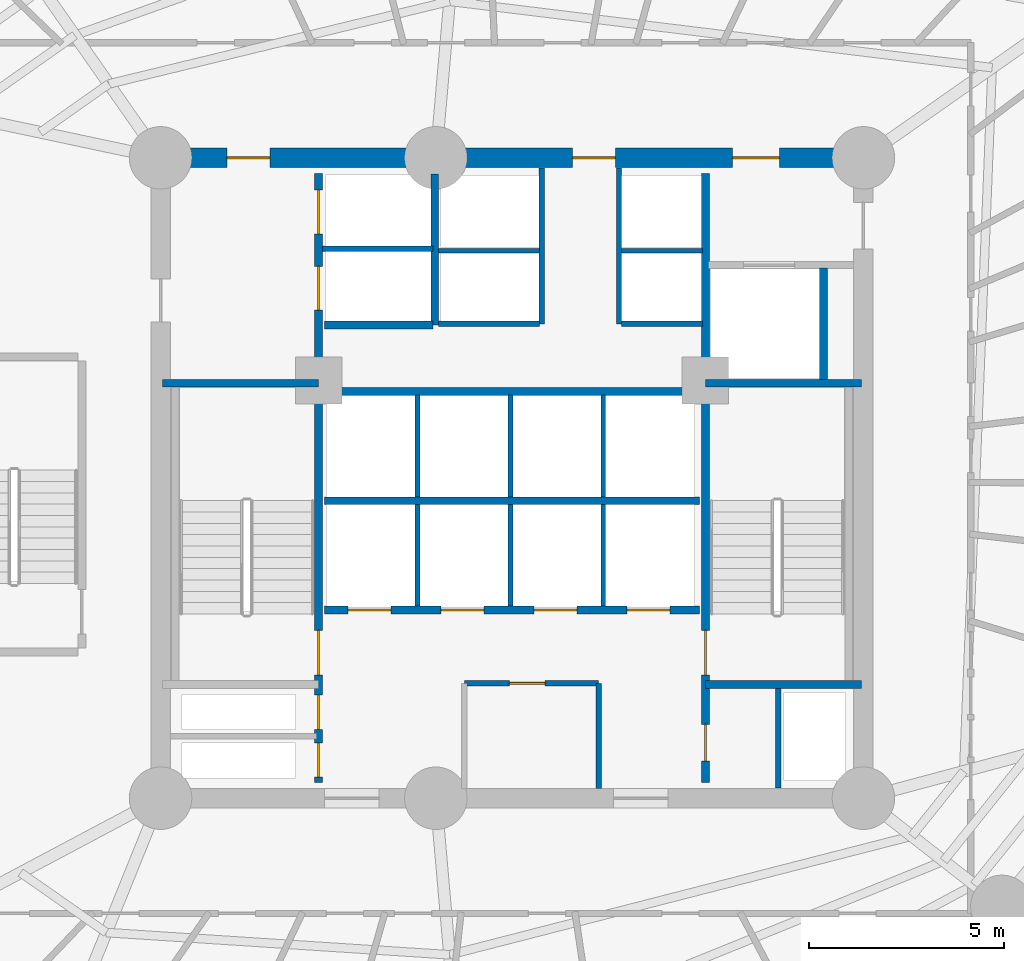
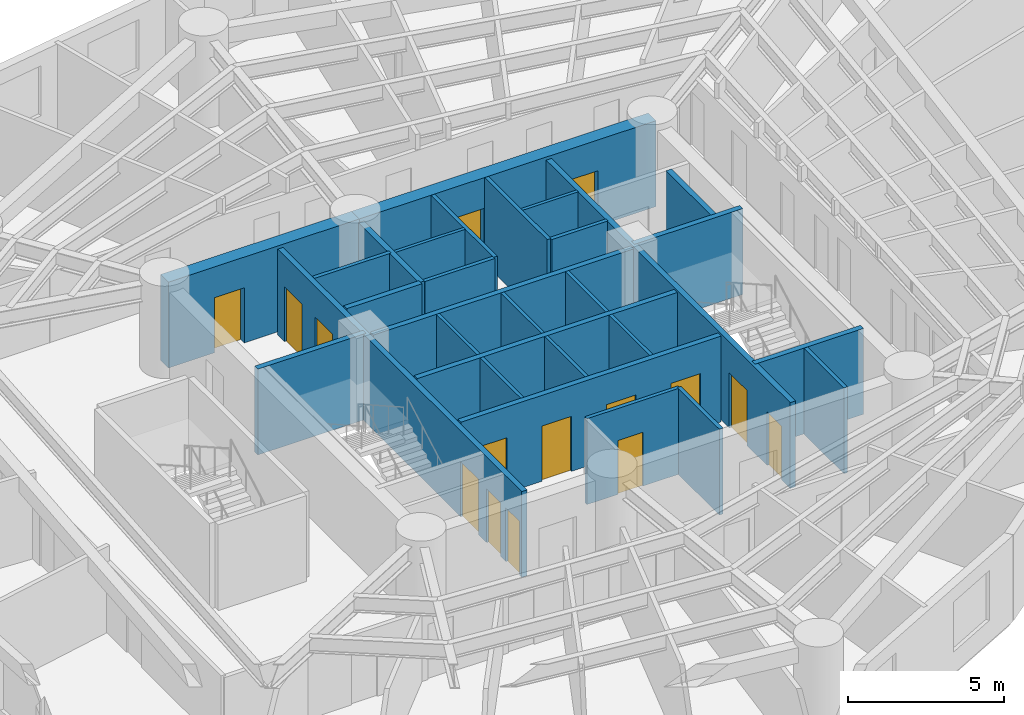
# One storey, part 4 of 8: 29 walls, 15 doors, 15 openings.
"""IFC4 building model written with IfcOpenShell, lengths in metres."""

import ifcopenshell
import ifcopenshell.guid

model = None  # the IFC model being written
_history = None  # IfcOwnerHistory: only IFC2X3 demands one
_inside = {}  # id of a spatial element -> (the spatial element, [elements in it])
_under = {}  # id of a project, library or spatial element -> (it, [spatial elements below it])
_declared = {}  # id of a project -> (the project, [libraries it declares])
_typed = {}  # id of a type object -> (the type object, [elements of that type])
_made_of = {}  # id of a material, layer set ... -> (it, [elements and type objects made of it])


def new_model(schema):
    """Start an empty IFC model of exactly this schema.

    Asked for "IFC4X3", IfcOpenShell would pick the latest addendum, in which some entities
    have other attributes; the version numbers below select the first issue.
    IFC2X3 requires an IfcOwnerHistory on every rooted entity: one is made here for all.
    """
    global model, _history
    if schema == "IFC4X3":
        model = ifcopenshell.file(schema_version=(4, 3, 0, 0))
    else:
        model = ifcopenshell.file(schema=schema)
    _inside.clear()
    _under.clear()
    _declared.clear()
    _typed.clear()
    _made_of.clear()
    _history = None
    if model.schema == "IFC2X3":
        org = make("IfcOrganization", Name="unknown")
        user = make(
            "IfcPersonAndOrganization",
            ThePerson=make("IfcPerson", FamilyName="unknown"),
            TheOrganization=org,
        )
        app = make(
            "IfcApplication",
            ApplicationDeveloper=org,
            Version="unknown",
            ApplicationFullName="unknown",
            ApplicationIdentifier="unknown",
        )
        _history = make(
            "IfcOwnerHistory",
            OwningUser=user,
            OwningApplication=app,
            ChangeAction="ADDED",
            CreationDate=0,
        )
    return model


def make(cls, **values):
    """One entity of the class cls with the attributes given. An attribute that is None is left unset."""
    return model.create_entity(
        cls, **{name: value for name, value in values.items() if value is not None}
    )


def rooted(cls, **values):
    """An entity with a GlobalId (a new one), such as an element, a storey or a relation."""
    return make(cls, GlobalId=ifcopenshell.guid.new(), OwnerHistory=_history, **values)


def si_unit(unit_type, name, prefix=None):
    """IfcSIUnit, for example si_unit("LENGTHUNIT", "METRE", prefix="MILLI")."""
    return make("IfcSIUnit", UnitType=unit_type, Prefix=prefix, Name=name)


def assignment(units):
    """IfcUnitAssignment: the units of a project."""
    return None if units is None else make("IfcUnitAssignment", Units=units)


def point(xyz):
    """IfcCartesianPoint."""
    return None if xyz is None else make("IfcCartesianPoint", Coordinates=xyz)


def direction(xyz):
    """IfcDirection."""
    return None if xyz is None else make("IfcDirection", DirectionRatios=xyz)


def frame(location, z_axis=None, x_axis=None):
    """IfcAxis2Placement3D, a coordinate frame: its origin and axes. An axis left out is left unset."""
    return make(
        "IfcAxis2Placement3D",
        Location=point(location),
        Axis=direction(z_axis),
        RefDirection=direction(x_axis),
    )


def frame_2d(location, x_axis=None):
    """IfcAxis2Placement2D, a coordinate frame in the plane: its origin and x axis."""
    return make(
        "IfcAxis2Placement2D", Location=point(location), RefDirection=direction(x_axis)
    )


def origin():
    """The frame at (0, 0, 0) with its axes left unset."""
    return frame((0.0, 0.0, 0.0))


def origin_with_axes():
    """The frame at (0, 0, 0) with the z axis (0, 0, 1) and the x axis (1, 0, 0) written out."""
    return frame((0.0, 0.0, 0.0), z_axis=(0.0, 0.0, 1.0), x_axis=(1.0, 0.0, 0.0))


def place(relative_to, where):
    """IfcLocalPlacement: puts the frame where relative to a parent placement (None: the world)."""
    return make(
        "IfcLocalPlacement", PlacementRelTo=relative_to, RelativePlacement=where
    )


def context(
    kind, dimensions, precision=None, world=None, true_north=None, identifier=None
):
    """IfcGeometricRepresentationContext, for example the 3D "Model" context."""
    return make(
        "IfcGeometricRepresentationContext",
        ContextIdentifier=identifier,
        ContextType=kind,
        CoordinateSpaceDimension=dimensions,
        Precision=precision,
        WorldCoordinateSystem=world,
        TrueNorth=true_north,
    )


def subcontext(parent, identifier, kind, view, scale=None):
    """IfcGeometricRepresentationSubContext, for example "Body" below "Model"."""
    return make(
        "IfcGeometricRepresentationSubContext",
        ContextIdentifier=identifier,
        ContextType=kind,
        ParentContext=parent,
        TargetScale=scale,
        TargetView=view,
    )


def project(units=None, contexts=None):
    """IfcProject with its units and contexts."""
    return rooted(
        "IfcProject",
        Name="project",
        RepresentationContexts=contexts,
        UnitsInContext=assignment(units),
    )


def spatial(cls, under=None, at=None, **own):
    """A site, building, storey or space (cls), placed at a placement, below another one or the project."""
    s = rooted(cls, ObjectPlacement=at, **own)
    if under is not None:
        _under.setdefault(under.id(), (under, []))[1].append(s)
    return s


def profile(cls, at=None, kind="AREA", **sizes):
    """A parametric profile (cls). Its sizes go by their IFC names, for example OverallWidth=200.0."""
    return make(cls, ProfileType=kind, Position=at, **sizes)


def rectangle(**sizes):
    """IfcRectangleProfileDef."""
    return profile("IfcRectangleProfileDef", **sizes)


def extrude(swept, where, along, depth):
    """IfcExtrudedAreaSolid: the profile swept, set in the frame where, extruded along a direction by depth."""
    return make(
        "IfcExtrudedAreaSolid",
        SweptArea=swept,
        Position=where,
        ExtrudedDirection=direction(along),
        Depth=depth,
    )


def shape(context_of_items, identifier, shape_type, items):
    """IfcShapeRepresentation: the items that make up one representation, for example the "Body"."""
    return make(
        "IfcShapeRepresentation",
        ContextOfItems=context_of_items,
        RepresentationIdentifier=identifier,
        RepresentationType=shape_type,
        Items=items,
    )


def source(mapping_origin, context_of_items, identifier, shape_type, items):
    """IfcRepresentationMap: a shape defined once, which mapped items show again and again."""
    return make(
        "IfcRepresentationMap",
        MappingOrigin=mapping_origin,
        MappedRepresentation=shape(context_of_items, identifier, shape_type, items),
    )


def transform(
    local_origin,
    x_axis=None,
    y_axis=None,
    z_axis=None,
    scale=None,
    scale2=None,
    scale3=None,
    uniform=True,
):
    """IfcCartesianTransformationOperator3D, or its non-uniform kind. x_axis, y_axis, z_axis: its Axis1, 2, 3."""
    if uniform:
        return make(
            "IfcCartesianTransformationOperator3D",
            Axis1=direction(x_axis),
            Axis2=direction(y_axis),
            LocalOrigin=point(local_origin),
            Scale=scale,
            Axis3=direction(z_axis),
        )
    return make(
        "IfcCartesianTransformationOperator3DnonUniform",
        Axis1=direction(x_axis),
        Axis2=direction(y_axis),
        LocalOrigin=point(local_origin),
        Scale=scale,
        Axis3=direction(z_axis),
        Scale2=scale2,
        Scale3=scale3,
    )


def mapped(mapping_source, mapping_target):
    """IfcMappedItem: shows the shape of a source again, moved by a transform."""
    return make(
        "IfcMappedItem", MappingSource=mapping_source, MappingTarget=mapping_target
    )


def material(Name=None, Category=None):
    """IfcMaterial."""
    return make("IfcMaterial", Name=Name, Category=Category)


def layer(
    of_material, thickness, ventilated=None, Name=None, Category=None, Priority=None
):
    """IfcMaterialLayer: one layer of a wall or slab, of a material (None: an air gap)."""
    return make(
        "IfcMaterialLayer",
        Material=of_material,
        LayerThickness=thickness,
        IsVentilated=ventilated,
        Name=Name,
        Category=Category,
        Priority=Priority,
    )


def layer_set(layers, Name=None):
    """IfcMaterialLayerSet."""
    return make("IfcMaterialLayerSet", MaterialLayers=layers, LayerSetName=Name)


def made_of(thing, what):
    """Note that an element or type object is made of a material, layer set ...; save() writes the relation."""
    if what is not None:
        _made_of.setdefault(what.id(), (what, []))[1].append(thing)
    return thing


def type_object(cls, material=None, **own):
    """A type object (cls), such as IfcWallType, which elements share."""
    return made_of(rooted(cls, **own), material)


def element(
    cls,
    number,
    at=None,
    inside=None,
    cuts=None,
    type_object=None,
    material=None,
    context=None,
    identifier="Body",
    shape_type=None,
    held_by="IfcProductDefinitionShape",
    body=None,
    shapes=None,
    **own,
):
    """One element of the class cls, such as IfcWall. Its Tag is "e" and its number.

    at: its placement. inside: the storey or other place that contains it. cuts: it is an
    opening in that element (IfcRelVoidsElement). A single representation is given by context,
    identifier, shape_type and body (its items); several are given by shapes. held_by: the class
    of the entity that holds the representations. save() writes the other relations.
    """
    e = rooted(cls, Tag="e%d" % number, ObjectPlacement=at, **own)
    if body is not None:
        shapes = [shape(context, identifier, shape_type, body)]
    if shapes is not None:
        e.Representation = make(held_by, Representations=shapes)
    if inside is not None:
        _inside.setdefault(inside.id(), (inside, []))[1].append(e)
    if cuts is not None:
        rooted(
            "IfcRelVoidsElement", RelatingBuildingElement=cuts, RelatedOpeningElement=e
        )
    if type_object is not None:
        _typed.setdefault(type_object.id(), (type_object, []))[1].append(e)
    return made_of(e, material)


def fill(opening, filler):
    """IfcRelFillsElement: the door or window that sits in an opening."""
    return rooted(
        "IfcRelFillsElement",
        RelatingOpeningElement=opening,
        RelatedBuildingElement=filler,
    )


def aggregate(whole, parts):
    """IfcRelAggregates: a whole, such as a stair, and the parts it consists of."""
    return rooted("IfcRelAggregates", RelatingObject=whole, RelatedObjects=parts)


def save(model, path):
    """Write the relations noted so far, then the file.

    IfcRelAggregates (storeys below a building ...), IfcRelContainedInSpatialStructure (elements
    in a storey), IfcRelDefinesByType, IfcRelAssociatesMaterial and IfcRelDeclares: one each for
    every whole, place, type object, material and project.
    """
    for whole, parts in _under.values():
        aggregate(whole, parts)
    for where, things in _inside.values():
        rooted(
            "IfcRelContainedInSpatialStructure",
            RelatedElements=things,
            RelatingStructure=where,
        )
    for kind, things in _typed.values():
        rooted("IfcRelDefinesByType", RelatedObjects=things, RelatingType=kind)
    for what, things in _made_of.values():
        rooted("IfcRelAssociatesMaterial", RelatedObjects=things, RelatingMaterial=what)
    for by, libraries in _declared.values():
        rooted("IfcRelDeclares", RelatingContext=by, RelatedDefinitions=libraries)
    model.write(path)


model = new_model("IFC4")

# Units and contexts
model_context = context("Model", 3, precision=1e-05, world=origin(), true_north=direction((0.0, 1.0)))
body_context = subcontext(model_context, "Body", "Model", "MODEL_VIEW")
ifc_project = project(units=[si_unit("LENGTHUNIT", "METRE"), si_unit("AREAUNIT", "SQUARE_METRE"), si_unit("VOLUMEUNIT", "CUBIC_METRE"), si_unit("PLANEANGLEUNIT", "RADIAN"), si_unit("MASSUNIT", "GRAM", prefix="KILO")], contexts=[model_context])

# Site, building, storey
site_placement = place(None, origin())
site = spatial("IfcSite", under=ifc_project, at=site_placement, CompositionType="ELEMENT")
building_placement = place(site_placement, origin())
building = spatial("IfcBuilding", under=site, at=building_placement, Name="Karkom Vertical University and Central Library", CompositionType="ELEMENT")
storey_placement = place(building_placement, frame((0.0, 0.0, 55.300048828125)))
storey = spatial("IfcBuildingStorey", under=building, at=storey_placement, Name="L14", CompositionType="ELEMENT", Elevation=55.300048828125)

# Walls
ifc_material_1 = material(Name="Moisture-resistant drywall 120mm", Category="gypsum")
ifc_layer_1 = layer(ifc_material_1, 0.1201171875)
ifc_layer_set_1 = layer_set([ifc_layer_1], Name="Moisture-resistant drywall 120mm")
wall_type_1 = type_object("IfcWallType", Name="INT-WL-INT-120H", PredefinedType="PARTITIONING", material=ifc_layer_set_1)
for number, where, z_axis, x_axis, name in (
    (1, (26.080078125, 23.219970703125, 0.0), (0.0, 0.0, 1.0), (0.0, 1.0, 0.0), "Level 14 Interior Partition Wall L14-CW-PL-DIV1"),
    (2, (28.4599609375, 23.219970703125, 0.0), (0.0, 0.0, 1.0), (0.0, 1.0, 0.0), "Level 14 Interior Partition Wall L14-CW-PL-DIV2"),
    (3, (30.840087890625, 23.219970703125, 0.0), (0.0, 0.0, 1.0), (0.0, 1.0, 0.0), "Level 14 Interior Partition Wall L14-CW-PL-DIV3"),
    (4, (26.080078125, 26.02001953125, 0.0), (0.0, 0.0, 1.0), (0.0, 1.0, 0.0), "Level 14 Interior Partition Wall L14-CW-PM-DIV1"),
    (5, (28.4599609375, 26.02001953125, 0.0), (0.0, 0.0, 1.0), (0.0, 1.0, 0.0), "Level 14 Interior Partition Wall L14-CW-PM-DIV2"),
    (6, (30.840087890625, 26.02001953125, 0.0), (0.0, 0.0, 1.0), (0.0, 1.0, 0.0), "Level 14 Interior Partition Wall L14-CW-PM-DIV3"),
):
    element("IfcWall", number, at=place(storey_placement, frame(where, z_axis=z_axis, x_axis=x_axis)), inside=storey, type_object=wall_type_1, Name=name, PredefinedType="PARTITIONING", context=body_context, shape_type="SweptSolid", body=[
        extrude(rectangle(XDim=2.60009765625, YDim=0.1201171875, at=frame_2d((1.300048828125, 0.0))), origin(), (0.0, 0.0, 1.0), 3.349853515625),
    ])
wall_1_placement = place(storey_placement, frame((26.6201171875, 32.320068359375, 0.0), z_axis=(0.0, 0.0, 1.0), x_axis=(1.0, 0.0, 0.0)))
element("IfcWall", 7, at=wall_1_placement, inside=storey, type_object=wall_type_1, Name="Level 14 Interior Partition Wall L14-CW-PH-MW", PredefinedType="PARTITIONING", context=body_context, shape_type="SweptSolid", body=[
    extrude(rectangle(XDim=2.579833984375, YDim=0.1201171875, at=frame_2d((1.2900390625, 0.0))), origin(), (0.0, 0.0, 1.0), 3.349853515625),
])
wall_2_placement = place(storey_placement, frame((31.300048828125, 32.320068359375, 0.0), z_axis=(0.0, 0.0, 1.0), x_axis=(1.0, 0.0, 0.0)))
element("IfcWall", 8, at=wall_2_placement, inside=storey, type_object=wall_type_1, Name="Level 14 Interior Partition Wall L14-CW-PH-ME", PredefinedType="PARTITIONING", context=body_context, shape_type="SweptSolid", body=[
    extrude(rectangle(XDim=2.074951171875, YDim=0.1201171875, at=frame_2d((1.03759765625, 0.0))), origin(), (0.0, 0.0, 1.0), 3.349853515625),
])

# Wall, opening, door
ifc_material_2 = material(Name="Metal-stud gypsum partition 140mm", Category="gypsum")
ifc_layer_2 = layer(ifc_material_2, 0.139892578125)
ifc_layer_set_2 = layer_set([ifc_layer_2], Name="Metal-stud gypsum partition 140mm")
wall_type_2 = type_object("IfcWallType", Name="INT-WL-SUB-140", PredefinedType="PARTITIONING", material=ifc_layer_set_2)
wall_3_placement = place(storey_placement, frame((27.280029296875, 21.239990234375, 0.0), z_axis=(0.0, 0.0, 1.0), x_axis=(1.0, 0.0, 0.0)))
wall_3 = element("IfcWall", 9, at=wall_3_placement, inside=storey, type_object=wall_type_2, Name="Level 14 Interior Partition Wall L14-CW-KBAY-N", PredefinedType="PARTITIONING", context=body_context, shape_type="SweptSolid", body=[
    extrude(rectangle(XDim=3.43994140625, YDim=0.139892578125, at=frame_2d((1.719970703125, 0.0))), origin(), (0.0, 0.0, 1.0), 3.349853515625),
])
opening_1_placement = place(wall_3_placement, frame((1.14990234375, 0.0, 0.0)))
opening_1 = element("IfcOpeningElement", 10, at=opening_1_placement, cuts=wall_3, Name="Opening D-SVC1", PredefinedType="OPENING", context=body_context, shape_type="SweptSolid", body=[
    extrude(rectangle(XDim=0.919921875, YDim=2.10009765625, at=frame_2d((0.4599609375, 1.050048828125))), frame((0.0, 0.080078125, 0.0), z_axis=(0.0, -1.0, 0.0), x_axis=(1.0, 0.0, 0.0)), (0.0, 0.0, 1.0), 0.159912109375),
])
ifc_material_3 = material(Name="Painted timber service door", Category="wood")
door_type_1 = type_object("IfcDoorType", Name="INT-DR-SVC1", OperationType="NOTDEFINED", PredefinedType="DOOR", material=ifc_material_3)
shared_shape_1 = source(origin_with_axes(), body_context, "Body", "SweptSolid", [
    extrude(rectangle(XDim=0.919921875, YDim=2.10009765625, at=frame_2d((0.4599609375, 1.050048828125))), frame((0.0, 0.02490234375, 0.0), z_axis=(0.0, -1.0, 0.0), x_axis=(1.0, 0.0, 0.0)), (0.0, 0.0, 1.0), 0.050048828125),
])
door_1_placement = place(opening_1_placement, origin())
door_1 = element("IfcDoor", 11, at=door_1_placement, inside=storey, type_object=door_type_1, Name="Level 14 Comms Room Door", OperationType="SINGLE_SWING_LEFT", OverallHeight=2.10009765625, OverallWidth=0.919921875, PredefinedType="DOOR", context=body_context, shape_type="MappedRepresentation", body=[
    mapped(shared_shape_1, transform((0.0, 0.0, 0.0), scale=1.0)),
])
fill(opening_1, door_1)

# Walls
wall_4_placement = place(storey_placement, frame((30.719970703125, 18.550048828125, 0.0), z_axis=(0.0, 0.0, 1.0), x_axis=(0.0, 1.0, 0.0)))
element("IfcWall", 12, at=wall_4_placement, inside=storey, type_object=wall_type_2, Name="Level 14 Interior Partition Wall L14-CW-KBAY-E", PredefinedType="PARTITIONING", context=body_context, shape_type="SweptSolid", body=[
    extrude(rectangle(XDim=2.68994140625, YDim=0.139892578125, at=frame_2d((1.344970703125, 0.0))), origin(), (0.0, 0.0, 1.0), 3.349853515625),
])
ifc_layer_3 = layer(ifc_material_2, 0.139892578125)
ifc_layer_set_3 = layer_set([ifc_layer_3], Name="Metal-stud gypsum partition 140mm")
wall_type_3 = type_object("IfcWallType", Name="INT-WL-SUB-140H", PredefinedType="PARTITIONING", material=ifc_layer_set_3)
for number, where, z_axis, x_axis, name in (
    (13, (29.260009765625, 30.449951171875, 0.0), (0.0, 0.0, 1.0), (0.0, 1.0, 0.0), "Level 14 Interior Partition Wall L14-CW-PH-W"),
    (14, (31.239990234375, 30.449951171875, 0.0), (0.0, 0.0, 1.0), (0.0, 1.0, 0.0), "Level 14 Interior Partition Wall L14-CW-PH-E"),
):
    element("IfcWall", number, at=place(storey_placement, frame(where, z_axis=z_axis, x_axis=x_axis)), inside=storey, type_object=wall_type_3, Name=name, PredefinedType="PARTITIONING", context=body_context, shape_type="SweptSolid", body=[
        extrude(rectangle(XDim=3.9931640625, YDim=0.139892578125, at=frame_2d((1.99658203125, 0.0))), origin(), (0.0, 0.0, 1.0), 3.349853515625),
    ])
wall_5_placement = place(storey_placement, frame((26.6201171875, 30.449951171875, 0.0), z_axis=(0.0, 0.0, 1.0), x_axis=(1.0, 0.0, 0.0)))
element("IfcWall", 15, at=wall_5_placement, inside=storey, type_object=wall_type_3, Name="Level 14 Interior Partition Wall L14-CW-PH-S1", PredefinedType="PARTITIONING", context=body_context, shape_type="SweptSolid", body=[
    extrude(rectangle(XDim=2.579833984375, YDim=0.139892578125, at=frame_2d((1.2900390625, 0.0))), origin(), (0.0, 0.0, 1.0), 3.349853515625),
])
wall_6_placement = place(storey_placement, frame((35.320068359375, 18.556884765625, 0.0), z_axis=(0.0, 0.0, 1.0), x_axis=(0.0, 1.0, 0.0)))
element("IfcWall", 16, at=wall_6_placement, inside=storey, type_object=wall_type_3, Name="Level 14 Interior Partition Wall L14-CW-RIS-E", PredefinedType="PARTITIONING", context=body_context, shape_type="SweptSolid", body=[
    extrude(rectangle(XDim=2.553466796875, YDim=0.139892578125, at=frame_2d((1.27685546875, 0.0))), origin(), (0.0, 0.0, 1.0), 3.349853515625),
])
wall_7_placement = place(storey_placement, frame((31.300048828125, 30.449951171875, 0.0), z_axis=(0.0, 0.0, 1.0), x_axis=(1.0, 0.0, 0.0)))
element("IfcWall", 17, at=wall_7_placement, inside=storey, type_object=wall_type_3, Name="Level 14 Interior Partition Wall L14-CW-PH-S2", PredefinedType="PARTITIONING", context=body_context, shape_type="SweptSolid", body=[
    extrude(rectangle(XDim=2.074951171875, YDim=0.139892578125, at=frame_2d((1.03759765625, 0.0))), origin(), (0.0, 0.0, 1.0), 3.349853515625),
])
ifc_layer_4 = layer(ifc_material_2, 0.139892578125)
ifc_layer_set_4 = layer_set([ifc_layer_4], Name="Metal-stud gypsum partition 140mm")
wall_type_4 = type_object("IfcWallType", Name="INT-WL-SUB-140X", PredefinedType="PARTITIONING", material=ifc_layer_set_4)
wall_8_placement = place(storey_placement, frame((23.652099609375, 32.3701171875, 0.0), z_axis=(0.0, 0.0, 1.0), x_axis=(1.0, 0.0, 0.0)))
element("IfcWall", 18, at=wall_8_placement, inside=storey, type_object=wall_type_4, Name="Level 14 Interior Partition Wall L14-CW-FFL-M", PredefinedType="PARTITIONING", context=body_context, shape_type="SweptSolid", body=[
    extrude(rectangle(XDim=2.827880859375, YDim=0.139892578125, at=frame_2d((1.4140625, 0.0))), origin(), (0.0, 0.0, 1.0), 3.349853515625),
])

# Wall, openings, doors
ifc_material_4 = material(Name="Concrete C50/60", Category="concrete")
ifc_layer_5 = layer(ifc_material_4, 0.5)
ifc_layer_set_5 = layer_set([ifc_layer_5], Name="Concrete C50/60")
wall_type_5 = type_object("IfcWallType", Name="STR-WL-CW-500", PredefinedType="SHEAR", material=ifc_layer_set_5)
wall_9_placement = place(storey_placement, frame((37.5, 34.699951171875, 0.0), z_axis=(0.0, 0.0, 1.0), x_axis=(-1.0, 0.0, 0.0)))
wall_9 = element("IfcWall", 19, at=wall_9_placement, inside=storey, type_object=wall_type_5, Name="Level 14 Central Core Shear Wall NW1", PredefinedType="SHEAR", context=body_context, shape_type="SweptSolid", body=[
    extrude(rectangle(XDim=10.949951171875, YDim=0.5, at=frame_2d((5.47509765625, 0.0))), origin(), (0.0, 0.0, 1.0), 3.349853515625),
])
opening_2_placement = place(wall_9_placement, frame((2.14990234375, 0.0, 0.0)))
opening_2 = element("IfcOpeningElement", 20, at=opening_2_placement, cuts=wall_9, Name="Opening FD-SUB1", PredefinedType="OPENING", context=body_context, shape_type="SweptSolid", body=[
    extrude(rectangle(XDim=1.199951171875, YDim=2.14990234375, at=frame_2d((0.60009765625, 1.074951171875))), frame((0.0, 0.260009765625, 0.0), z_axis=(0.0, -1.0, 0.0), x_axis=(1.0, 0.0, 0.0)), (0.0, 0.0, 1.0), 0.52001953125),
])
opening_3_placement = place(wall_9_placement, frame((6.35009765625, 0.0, 0.0)))
opening_3 = element("IfcOpeningElement", 21, at=opening_3_placement, cuts=wall_9, Name="Opening FD-FFL", PredefinedType="OPENING", context=body_context, shape_type="SweptSolid", body=[
    extrude(rectangle(XDim=1.10009765625, YDim=2.14990234375, at=frame_2d((0.550048828125, 1.074951171875))), frame((0.0, 0.260009765625, 0.0), z_axis=(0.0, -1.0, 0.0), x_axis=(1.0, 0.0, 0.0)), (0.0, 0.0, 1.0), 0.52001953125),
])
ifc_material_5 = material(Name="Painted steel smoke-seal fire door", Category="steel")
door_type_2 = type_object("IfcDoorType", Name="INT-DR-FFL", OperationType="NOTDEFINED", PredefinedType="DOOR", material=ifc_material_5)
shared_shape_2 = source(origin_with_axes(), body_context, "Body", "SweptSolid", [
    extrude(rectangle(XDim=1.10009765625, YDim=2.14990234375, at=frame_2d((0.550048828125, 1.074951171875))), frame((0.0, 0.02490234375, 0.0), z_axis=(0.0, -1.0, 0.0), x_axis=(1.0, 0.0, 0.0)), (0.0, 0.0, 1.0), 0.050048828125),
])
door_2_placement = place(opening_3_placement, origin())
door_2 = element("IfcDoor", 22, at=door_2_placement, inside=storey, type_object=door_type_2, Name="Level 14 North Core Lobby Exit Door", OperationType="SINGLE_SWING_RIGHT", OverallHeight=2.14990234375, OverallWidth=1.10009765625, PredefinedType="DOOR", context=body_context, shape_type="MappedRepresentation", body=[
    mapped(shared_shape_2, transform((0.0, 0.0, 0.0), scale=1.0)),
])
fill(opening_3, door_2)
ifc_material_6 = material(Name="Painted steel fire door", Category="steel")
door_type_3 = type_object("IfcDoorType", Name="INT-DR-SUB1", OperationType="NOTDEFINED", PredefinedType="DOOR", material=ifc_material_6)
shared_shape_3 = source(origin_with_axes(), body_context, "Body", "SweptSolid", [
    extrude(rectangle(XDim=1.199951171875, YDim=2.14990234375, at=frame_2d((0.60009765625, 1.074951171875))), frame((0.0, 0.02490234375, 0.0), z_axis=(0.0, -1.0, 0.0), x_axis=(1.0, 0.0, 0.0)), (0.0, 0.0, 1.0), 0.050048828125),
])
door_3_placement = place(opening_2_placement, origin())
door_3 = element("IfcDoor", 23, at=door_3_placement, inside=storey, type_object=door_type_3, Name="Level 14 Service Lobby Fire Door", OperationType="SINGLE_SWING_LEFT", OverallHeight=2.14990234375, OverallWidth=1.199951171875, PredefinedType="DOOR", context=body_context, shape_type="MappedRepresentation", body=[
    mapped(shared_shape_3, transform((0.0, 0.0, 0.0), scale=1.0)),
])
fill(opening_2, door_3)

# Wall, opening, door
wall_10_placement = place(storey_placement, frame((26.550048828125, 34.699951171875, 0.0), z_axis=(0.0, 0.0, 1.0), x_axis=(-1.0, 0.0, 0.0)))
wall_10 = element("IfcWall", 24, at=wall_10_placement, inside=storey, type_object=wall_type_5, Name="Level 14 Central Core Shear Wall NW2", PredefinedType="SHEAR", context=body_context, shape_type="SweptSolid", body=[
    extrude(rectangle(XDim=7.050048828125, YDim=0.5, at=frame_2d((3.52490234375, 0.0))), origin(), (0.0, 0.0, 1.0), 3.349853515625),
])
opening_4_placement = place(wall_10_placement, frame((4.25, 0.0, 0.0)))
opening_4 = element("IfcOpeningElement", 25, at=opening_4_placement, cuts=wall_10, Name="Opening FD-FFL", PredefinedType="OPENING", context=body_context, shape_type="SweptSolid", body=[
    extrude(rectangle(XDim=1.10009765625, YDim=2.14990234375, at=frame_2d((0.550048828125, 1.074951171875))), frame((0.0, 0.260009765625, 0.0), z_axis=(0.0, -1.0, 0.0), x_axis=(1.0, 0.0, 0.0)), (0.0, 0.0, 1.0), 0.52001953125),
])
door_4_placement = place(opening_4_placement, origin())
door_4 = element("IfcDoor", 26, at=door_4_placement, inside=storey, type_object=door_type_2, Name="Level 14 Firefighting Lobby Door", OperationType="SINGLE_SWING_RIGHT", OverallHeight=2.14990234375, OverallWidth=1.10009765625, PredefinedType="DOOR", context=body_context, shape_type="MappedRepresentation", body=[
    mapped(shared_shape_2, transform((0.0, 0.0, 0.0), scale=1.0)),
])
fill(opening_4, door_4)

# Wall, openings, doors
ifc_material_7 = material(Name="Concrete C45/55", Category="concrete")
ifc_layer_6 = layer(ifc_material_7, 0.199951171875)
ifc_layer_set_6 = layer_set([ifc_layer_6], Name="Concrete C45/55")
wall_type_6 = type_object("IfcWallType", Name="STR-WL-ST-200", PredefinedType="SHEAR", material=ifc_layer_set_6)
wall_11_placement = place(storey_placement, frame((23.544921875, 18.699951171875, 0.0), z_axis=(0.0, 0.0, 1.0), x_axis=(0.0, 1.0, 0.0)))
wall_11 = element("IfcWall", 27, at=wall_11_placement, inside=storey, type_object=wall_type_6, Name="Level 14 Core Shaft Wall L14-CW-ST1-E", PredefinedType="SHEAR", context=body_context, shape_type="SweptSolid", body=[
    extrude(rectangle(XDim=15.60009765625, YDim=0.199951171875, at=frame_2d((7.800048828125, 0.0))), origin(), (0.0, 0.0, 1.0), 3.349853515625),
])
opening_5_placement = place(wall_11_placement, frame((2.75, 0.0, 0.0)))
opening_5 = element("IfcOpeningElement", 28, at=opening_5_placement, cuts=wall_11, Name="Opening FD-ST1", PredefinedType="OPENING", context=body_context, shape_type="SweptSolid", body=[
    extrude(rectangle(XDim=1.14990234375, YDim=2.14990234375, at=frame_2d((0.574951171875, 1.074951171875))), frame((0.0, 0.10986328125, 0.0), z_axis=(0.0, -1.0, 0.0), x_axis=(1.0, 0.0, 0.0)), (0.0, 0.0, 1.0), 0.219970703125),
])
opening_6_placement = place(wall_11_placement, frame((0.139892578125, 0.0, 0.0)))
opening_6 = element("IfcOpeningElement", 29, at=opening_6_placement, cuts=wall_11, Name="Opening FD-RIS", PredefinedType="OPENING", context=body_context, shape_type="SweptSolid", body=[
    extrude(rectangle(XDim=0.8798828125, YDim=2.10009765625, at=frame_2d((0.43994140625, 1.050048828125))), frame((0.0, 0.10986328125, 0.0), z_axis=(0.0, -1.0, 0.0), x_axis=(1.0, 0.0, 0.0)), (0.0, 0.0, 1.0), 0.219970703125),
])
opening_7_placement = place(wall_11_placement, frame((1.360107421875, 0.0, 0.0)))
opening_7 = element("IfcOpeningElement", 30, at=opening_7_placement, cuts=wall_11, Name="Opening FD-RIS", PredefinedType="OPENING", context=body_context, shape_type="SweptSolid", body=[
    extrude(rectangle(XDim=0.8798828125, YDim=2.10009765625, at=frame_2d((0.43994140625, 1.050048828125))), frame((0.0, 0.10986328125, 0.0), z_axis=(0.0, -1.0, 0.0), x_axis=(1.0, 0.0, 0.0)), (0.0, 0.0, 1.0), 0.219970703125),
])
opening_8_placement = place(wall_11_placement, frame((12.10009765625, 0.0, 0.0)))
opening_8 = element("IfcOpeningElement", 31, at=opening_8_placement, cuts=wall_11, Name="Opening LD-FFL", PredefinedType="OPENING", context=body_context, shape_type="SweptSolid", body=[
    extrude(rectangle(XDim=1.1201171875, YDim=2.14990234375, at=frame_2d((0.56005859375, 1.074951171875))), frame((0.0, 0.10986328125, 0.0), z_axis=(0.0, -1.0, 0.0), x_axis=(1.0, 0.0, 0.0)), (0.0, 0.0, 1.0), 0.219970703125),
])
opening_9_placement = place(wall_11_placement, frame((14.050048828125, 0.0, 0.0)))
opening_9 = element("IfcOpeningElement", 32, at=opening_9_placement, cuts=wall_11, Name="Opening LD-FFL", PredefinedType="OPENING", context=body_context, shape_type="SweptSolid", body=[
    extrude(rectangle(XDim=1.1201171875, YDim=2.14990234375, at=frame_2d((0.56005859375, 1.074951171875))), frame((0.0, 0.10986328125, 0.0), z_axis=(0.0, -1.0, 0.0), x_axis=(1.0, 0.0, 0.0)), (0.0, 0.0, 1.0), 0.219970703125),
])
ifc_material_8 = material(Name="Painted steel acoustic fire door", Category="steel")
door_type_4 = type_object("IfcDoorType", Name="INT-DR-ST1", OperationType="NOTDEFINED", PredefinedType="DOOR", material=ifc_material_8)
shared_shape_4 = source(origin_with_axes(), body_context, "Body", "SweptSolid", [
    extrude(rectangle(XDim=1.14990234375, YDim=2.14990234375, at=frame_2d((0.574951171875, 1.074951171875))), frame((0.0, 0.02490234375, 0.0), z_axis=(0.0, -1.0, 0.0), x_axis=(1.0, 0.0, 0.0)), (0.0, 0.0, 1.0), 0.050048828125),
])
door_5_placement = place(opening_5_placement, origin())
door_5 = element("IfcDoor", 33, at=door_5_placement, inside=storey, type_object=door_type_4, Name="Level 14 Stair ST-1 Fire Door", OperationType="SINGLE_SWING_RIGHT", OverallHeight=2.14990234375, OverallWidth=1.14990234375, PredefinedType="DOOR", context=body_context, shape_type="MappedRepresentation", body=[
    mapped(shared_shape_4, transform((0.0, 0.0, 0.0), scale=1.0)),
])
fill(opening_5, door_5)
ifc_material_9 = material(Name="Painted steel riser access door", Category="steel")
door_type_5 = type_object("IfcDoorType", Name="INT-DR-RIS", OperationType="NOTDEFINED", PredefinedType="DOOR", material=ifc_material_9)
shared_shape_5 = source(origin_with_axes(), body_context, "Body", "SweptSolid", [
    extrude(rectangle(XDim=0.8798828125, YDim=2.10009765625, at=frame_2d((0.43994140625, 1.050048828125))), frame((0.0, 0.02490234375, 0.0), z_axis=(0.0, -1.0, 0.0), x_axis=(1.0, 0.0, 0.0)), (0.0, 0.0, 1.0), 0.050048828125),
])
door_6_placement = place(opening_6_placement, origin())
door_6 = element("IfcDoor", 34, at=door_6_placement, inside=storey, type_object=door_type_5, Name="Level 14 Electrical Riser Access Door", OperationType="SINGLE_SWING_RIGHT", OverallHeight=2.10009765625, OverallWidth=0.8798828125, PredefinedType="DOOR", context=body_context, shape_type="MappedRepresentation", body=[
    mapped(shared_shape_5, transform((0.0, 0.0, 0.0), scale=1.0)),
])
fill(opening_6, door_6)
door_7_placement = place(opening_7_placement, origin())
door_7 = element("IfcDoor", 35, at=door_7_placement, inside=storey, type_object=door_type_5, Name="Level 14 Telecom Riser Access Door", OperationType="SINGLE_SWING_LEFT", OverallHeight=2.10009765625, OverallWidth=0.8798828125, PredefinedType="DOOR", context=body_context, shape_type="MappedRepresentation", body=[
    mapped(shared_shape_5, transform((0.0, 0.0, 0.0), scale=1.0)),
])
fill(opening_7, door_7)
ifc_material_10 = material(Name="Fire-rated stainless-steel landing door", Category="steel")
door_type_6 = type_object("IfcDoorType", Name="INT-DR-LD-FFL", OperationType="SLIDING_TO_LEFT", PredefinedType="DOOR", material=ifc_material_10)
shared_shape_6 = source(origin_with_axes(), body_context, "Body", "SweptSolid", [
    extrude(rectangle(XDim=1.1201171875, YDim=2.14990234375, at=frame_2d((0.56005859375, 1.074951171875))), frame((0.0, 0.02490234375, 0.0), z_axis=(0.0, -1.0, 0.0), x_axis=(1.0, 0.0, 0.0)), (0.0, 0.0, 1.0), 0.050048828125),
])
door_8_placement = place(opening_8_placement, origin())
door_8 = element("IfcDoor", 36, at=door_8_placement, inside=storey, type_object=door_type_6, Name="Level 14 Firefighting Lift FFL-1 Landing Door", OperationType="SLIDING_TO_LEFT", OverallHeight=2.14990234375, OverallWidth=1.1201171875, PredefinedType="DOOR", context=body_context, shape_type="MappedRepresentation", body=[
    mapped(shared_shape_6, transform((0.0, 0.0, 0.0), scale=1.0)),
])
fill(opening_8, door_8)
door_9_placement = place(opening_9_placement, origin())
door_9 = element("IfcDoor", 37, at=door_9_placement, inside=storey, type_object=door_type_6, Name="Level 14 Firefighting Lift FFL-2 Landing Door", OperationType="SLIDING_TO_RIGHT", OverallHeight=2.14990234375, OverallWidth=1.1201171875, PredefinedType="DOOR", context=body_context, shape_type="MappedRepresentation", body=[
    mapped(shared_shape_6, transform((0.0, 0.0, 0.0), scale=1.0)),
])
fill(opening_9, door_9)

wall_12_placement = place(storey_placement, frame((33.455078125, 18.699951171875, 0.0), z_axis=(0.0, 0.0, 1.0), x_axis=(0.0, 1.0, 0.0)))
wall_12 = element("IfcWall", 38, at=wall_12_placement, inside=storey, type_object=wall_type_6, Name="Level 14 Core Shaft Wall L14-CW-ST2-W", PredefinedType="SHEAR", context=body_context, shape_type="SweptSolid", body=[
    extrude(rectangle(XDim=15.60009765625, YDim=0.199951171875, at=frame_2d((7.800048828125, 0.0))), origin(), (0.0, 0.0, 1.0), 3.349853515625),
])
opening_10_placement = place(wall_12_placement, frame((2.75, 0.0, 0.0)))
opening_10 = element("IfcOpeningElement", 39, at=opening_10_placement, cuts=wall_12, Name="Opening FD-ST1", PredefinedType="OPENING", context=body_context, shape_type="SweptSolid", body=[
    extrude(rectangle(XDim=1.14990234375, YDim=2.14990234375, at=frame_2d((0.574951171875, 1.074951171875))), frame((0.0, 0.10986328125, 0.0), z_axis=(0.0, -1.0, 0.0), x_axis=(1.0, 0.0, 0.0)), (0.0, 0.0, 1.0), 0.219970703125),
])
opening_11_placement = place(wall_12_placement, frame((0.550048828125, 0.0, 0.0)))
opening_11 = element("IfcOpeningElement", 40, at=opening_11_placement, cuts=wall_12, Name="Opening D-WC1", PredefinedType="OPENING", context=body_context, shape_type="SweptSolid", body=[
    extrude(rectangle(XDim=0.93994140625, YDim=2.10009765625, at=frame_2d((0.469970703125, 1.050048828125))), frame((0.0, 0.10986328125, 0.0), z_axis=(0.0, -1.0, 0.0), x_axis=(1.0, 0.0, 0.0)), (0.0, 0.0, 1.0), 0.219970703125),
])
door_10_placement = place(opening_10_placement, origin())
door_10 = element("IfcDoor", 41, at=door_10_placement, inside=storey, type_object=door_type_4, Name="Level 14 Stair ST-2 Fire Door", OperationType="SINGLE_SWING_LEFT", OverallHeight=2.14990234375, OverallWidth=1.14990234375, PredefinedType="DOOR", context=body_context, shape_type="MappedRepresentation", body=[
    mapped(shared_shape_4, transform((0.0, 0.0, 0.0), scale=1.0)),
])
fill(opening_10, door_10)
ifc_material_11 = material(Name="Fire-rated laminate moisture-resistant door", Category="wood")
door_type_7 = type_object("IfcDoorType", Name="INT-DR-WC1", OperationType="NOTDEFINED", PredefinedType="DOOR", material=ifc_material_11)
shared_shape_7 = source(origin_with_axes(), body_context, "Body", "SweptSolid", [
    extrude(rectangle(XDim=0.93994140625, YDim=2.10009765625, at=frame_2d((0.469970703125, 1.050048828125))), frame((0.0, 0.02490234375, 0.0), z_axis=(0.0, -1.0, 0.0), x_axis=(1.0, 0.0, 0.0)), (0.0, 0.0, 1.0), 0.050048828125),
])
door_11_placement = place(opening_11_placement, origin())
door_11 = element("IfcDoor", 42, at=door_11_placement, inside=storey, type_object=door_type_7, Name="Level 14 Accessible WC Door", OperationType="SINGLE_SWING_RIGHT", OverallHeight=2.10009765625, OverallWidth=0.93994140625, PredefinedType="DOOR", context=body_context, shape_type="MappedRepresentation", body=[
    mapped(shared_shape_7, transform((0.0, 0.0, 0.0), scale=1.0)),
])
fill(opening_11, door_11)

wall_13_placement = place(storey_placement, frame((23.699951171875, 23.1201171875, 0.0), z_axis=(0.0, 0.0, 1.0), x_axis=(1.0, 0.0, 0.0)))
wall_13 = element("IfcWall", 43, at=wall_13_placement, inside=storey, type_object=wall_type_6, Name="Level 14 Core Shaft Wall L14-CW-B1-S", PredefinedType="SHEAR", context=body_context, shape_type="SweptSolid", body=[
    extrude(rectangle(XDim=9.60009765625, YDim=0.199951171875, at=frame_2d((4.800048828125, 0.0))), origin(), (0.0, 0.0, 1.0), 3.349853515625),
])
opening_12_placement = place(wall_13_placement, frame((0.60009765625, 0.0, 0.0)))
opening_12 = element("IfcOpeningElement", 44, at=opening_12_placement, cuts=wall_13, Name="Opening LD-PAX", PredefinedType="OPENING", context=body_context, shape_type="SweptSolid", body=[
    extrude(rectangle(XDim=1.10009765625, YDim=2.14990234375, at=frame_2d((0.550048828125, 1.074951171875))), frame((0.0, 0.10986328125, 0.0), z_axis=(0.0, -1.0, 0.0), x_axis=(1.0, 0.0, 0.0)), (0.0, 0.0, 1.0), 0.219970703125),
])
opening_13_placement = place(wall_13_placement, frame((2.97998046875, 0.0, 0.0)))
opening_13 = element("IfcOpeningElement", 45, at=opening_13_placement, cuts=wall_13, Name="Opening LD-PAX", PredefinedType="OPENING", context=body_context, shape_type="SweptSolid", body=[
    extrude(rectangle(XDim=1.10009765625, YDim=2.14990234375, at=frame_2d((0.550048828125, 1.074951171875))), frame((0.0, 0.10986328125, 0.0), z_axis=(0.0, -1.0, 0.0), x_axis=(1.0, 0.0, 0.0)), (0.0, 0.0, 1.0), 0.219970703125),
])
opening_14_placement = place(wall_13_placement, frame((5.360107421875, 0.0, 0.0)))
opening_14 = element("IfcOpeningElement", 46, at=opening_14_placement, cuts=wall_13, Name="Opening LD-PAX", PredefinedType="OPENING", context=body_context, shape_type="SweptSolid", body=[
    extrude(rectangle(XDim=1.10009765625, YDim=2.14990234375, at=frame_2d((0.550048828125, 1.074951171875))), frame((0.0, 0.10986328125, 0.0), z_axis=(0.0, -1.0, 0.0), x_axis=(1.0, 0.0, 0.0)), (0.0, 0.0, 1.0), 0.219970703125),
])
opening_15_placement = place(wall_13_placement, frame((7.739990234375, 0.0, 0.0)))
opening_15 = element("IfcOpeningElement", 47, at=opening_15_placement, cuts=wall_13, Name="Opening LD-PAX", PredefinedType="OPENING", context=body_context, shape_type="SweptSolid", body=[
    extrude(rectangle(XDim=1.10009765625, YDim=2.14990234375, at=frame_2d((0.550048828125, 1.074951171875))), frame((0.0, 0.10986328125, 0.0), z_axis=(0.0, -1.0, 0.0), x_axis=(1.0, 0.0, 0.0)), (0.0, 0.0, 1.0), 0.219970703125),
])
ifc_material_12 = material(Name="Brushed stainless-steel landing door", Category="steel")
door_type_8 = type_object("IfcDoorType", Name="INT-DR-LD-PAX", OperationType="SLIDING_TO_LEFT", PredefinedType="DOOR", material=ifc_material_12)
door_12_placement = place(opening_12_placement, origin())
door_12 = element("IfcDoor", 48, at=door_12_placement, inside=storey, type_object=door_type_8, Name="Level 14 Lift PL-1 Landing Door", OperationType="SLIDING_TO_LEFT", OverallHeight=2.14990234375, OverallWidth=1.10009765625, PredefinedType="DOOR", context=body_context, shape_type="MappedRepresentation", body=[
    mapped(shared_shape_2, transform((0.0, 0.0, 0.0), scale=1.0)),
])
fill(opening_12, door_12)
door_13_placement = place(opening_13_placement, origin())
door_13 = element("IfcDoor", 49, at=door_13_placement, inside=storey, type_object=door_type_8, Name="Level 14 Lift PL-2 Landing Door", OperationType="SLIDING_TO_RIGHT", OverallHeight=2.14990234375, OverallWidth=1.10009765625, PredefinedType="DOOR", context=body_context, shape_type="MappedRepresentation", body=[
    mapped(shared_shape_2, transform((0.0, 0.0, 0.0), scale=1.0)),
])
fill(opening_13, door_13)
door_14_placement = place(opening_14_placement, origin())
door_14 = element("IfcDoor", 50, at=door_14_placement, inside=storey, type_object=door_type_8, Name="Level 14 Lift PL-3 Landing Door", OperationType="SLIDING_TO_LEFT", OverallHeight=2.14990234375, OverallWidth=1.10009765625, PredefinedType="DOOR", context=body_context, shape_type="MappedRepresentation", body=[
    mapped(shared_shape_2, transform((0.0, 0.0, 0.0), scale=1.0)),
])
fill(opening_14, door_14)
door_15_placement = place(opening_15_placement, origin())
door_15 = element("IfcDoor", 51, at=door_15_placement, inside=storey, type_object=door_type_8, Name="Level 14 Lift PL-4 Landing Door", OperationType="SLIDING_TO_RIGHT", OverallHeight=2.14990234375, OverallWidth=1.10009765625, PredefinedType="DOOR", context=body_context, shape_type="MappedRepresentation", body=[
    mapped(shared_shape_2, transform((0.0, 0.0, 0.0), scale=1.0)),
])
fill(opening_15, door_15)

# Walls
for number, where, z_axis, x_axis, name in (
    (52, (23.699951171875, 25.919921875, 0.0), (0.0, 0.0, 1.0), (1.0, 0.0, 0.0), "Level 14 Core Shaft Wall L14-CW-B1-N"),
    (53, (23.699951171875, 28.719970703125, 0.0), (0.0, 0.0, 1.0), (1.0, 0.0, 0.0), "Level 14 Core Shaft Wall L14-CW-B2-N"),
):
    element("IfcWall", number, at=place(storey_placement, frame(where, z_axis=z_axis, x_axis=x_axis)), inside=storey, type_object=wall_type_6, Name=name, PredefinedType="SHEAR", context=body_context, shape_type="SweptSolid", body=[
        extrude(rectangle(XDim=9.60009765625, YDim=0.199951171875, at=frame_2d((4.800048828125, 0.0))), origin(), (0.0, 0.0, 1.0), 3.349853515625),
    ])
for number, where, z_axis, x_axis, name in (
    (54, (33.455078125, 21.215087890625, 0.0), (0.0, 0.0, 1.0), (1.0, 0.0, 0.0), "Level 14 Core Shaft Wall L14-CW-ST2-S"),
    (55, (33.455078125, 28.925048828125, 0.0), (0.0, 0.0, 1.0), (1.0, 0.0, 0.0), "Level 14 Core Shaft Wall L14-CW-ST2-N"),
    (56, (19.550048828125, 28.925048828125, 0.0), (0.0, 0.0, 1.0), (1.0, 0.0, 0.0), "Level 14 Core Shaft Wall L14-CW-ST1-N"),
):
    element("IfcWall", number, at=place(storey_placement, frame(where, z_axis=z_axis, x_axis=x_axis)), inside=storey, type_object=wall_type_6, Name=name, PredefinedType="SHEAR", context=body_context, shape_type="SweptSolid", body=[
        extrude(rectangle(XDim=3.994873046875, YDim=0.199951171875, at=frame_2d((1.99755859375, 0.0))), origin(), (0.0, 0.0, 1.0), 3.349853515625),
    ])
wall_14_placement = place(storey_placement, frame((26.52001953125, 30.419921875, 0.0), z_axis=(0.0, 0.0, 1.0), x_axis=(0.0, 1.0, 0.0)))
element("IfcWall", 57, at=wall_14_placement, inside=storey, type_object=wall_type_6, Name="Level 14 Core Shaft Wall L14-CW-FFL-E", PredefinedType="SHEAR", context=body_context, shape_type="SweptSolid", body=[
    extrude(rectangle(XDim=3.860107421875, YDim=0.199951171875, at=frame_2d((1.93017578125, 0.0))), origin(), (0.0, 0.0, 1.0), 3.349853515625),
])
wall_15_placement = place(storey_placement, frame((36.47998046875, 29.02001953125, 0.0), z_axis=(0.0, 0.0, 1.0), x_axis=(0.0, 1.0, 0.0)))
element("IfcWall", 58, at=wall_15_placement, inside=storey, type_object=wall_type_6, Name="Level 14 Core Shaft Wall L14-CW-SVL-E", PredefinedType="SHEAR", context=body_context, shape_type="SweptSolid", body=[
    extrude(rectangle(XDim=2.85986328125, YDim=0.199951171875, at=frame_2d((1.429931640625, 0.0))), origin(), (0.0, 0.0, 1.0), 3.349853515625),
])
wall_16_placement = place(storey_placement, frame((23.699951171875, 30.419921875, 0.0), z_axis=(0.0, 0.0, 1.0), x_axis=(1.0, 0.0, 0.0)))
element("IfcWall", 59, at=wall_16_placement, inside=storey, type_object=wall_type_6, Name="Level 14 Core Shaft Wall L14-CW-FFL-S", PredefinedType="SHEAR", context=body_context, shape_type="SweptSolid", body=[
    extrude(rectangle(XDim=2.780029296875, YDim=0.199951171875, at=frame_2d((1.39013671875, 0.0))), origin(), (0.0, 0.0, 1.0), 3.349853515625),
])

save(model, "model.ifc")
